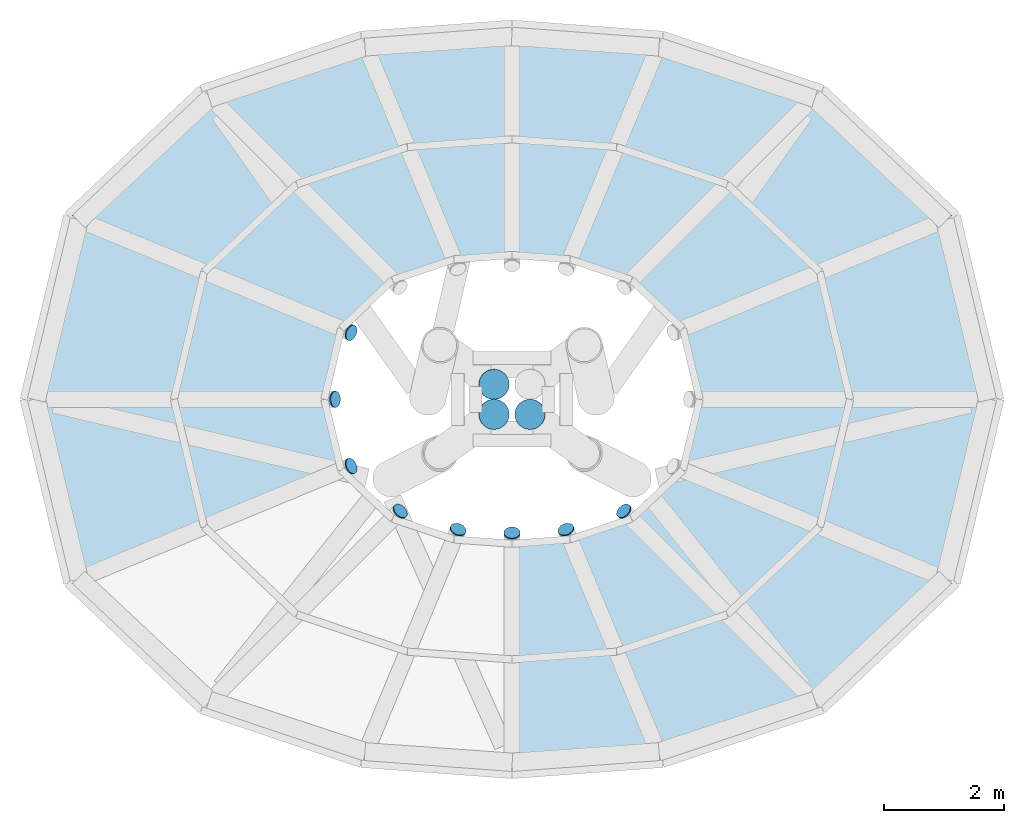
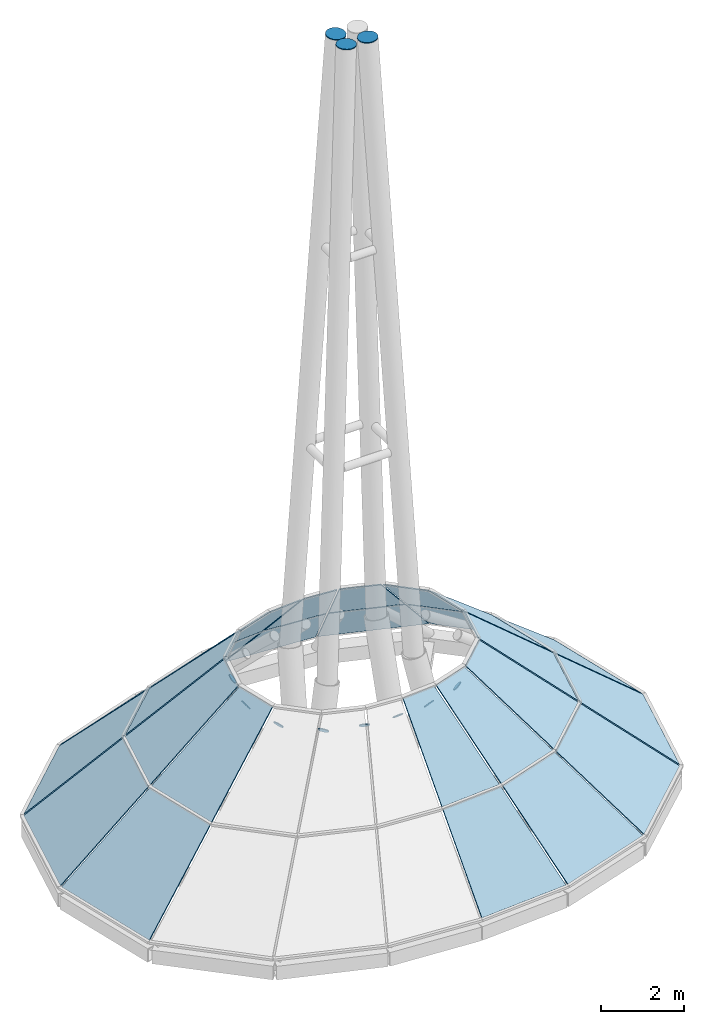
# One storey, part 3 of 4: 26 plates, 11 discrete accessories, 13 elements without a shape of their own.
"""IFC4 building model written with IfcOpenShell, lengths in metres."""

from ifc_helpers import new_model, si_unit, direction, frame, origin, place, context, subcontext, project, spatial, polyline, outline, extrude, material, layer, layer_set, type_object, element, aggregate, save


model = new_model("IFC4")

# Units and contexts
model_context = context("Model", 3, precision=1e-05, world=origin(), true_north=direction((0.0, 1.0)))
body_context = subcontext(model_context, "Body", "Model", "MODEL_VIEW")
ifc_project = project(units=[si_unit("LENGTHUNIT", "METRE"), si_unit("AREAUNIT", "SQUARE_METRE"), si_unit("VOLUMEUNIT", "CUBIC_METRE"), si_unit("PLANEANGLEUNIT", "RADIAN"), si_unit("MASSUNIT", "GRAM", prefix="KILO")], contexts=[model_context])

# Site, building, storey
site_placement = place(None, origin())
site = spatial("IfcSite", under=ifc_project, at=site_placement, CompositionType="ELEMENT")
building_placement = place(site_placement, origin())
building = spatial("IfcBuilding", under=site, at=building_placement, Name="Rubra Terraces Tower", CompositionType="ELEMENT")
storey_placement = place(building_placement, frame((0.0, 0.0, 333.0)))
storey = spatial("IfcBuildingStorey", under=building, at=storey_placement, Name="L82", CompositionType="ELEMENT", Elevation=333.0)

# Curtain wall, plates
ifc_material_1 = material(Name="Aluminium and glass", Category="aluminium")
curtain_wall_type = type_object("IfcCurtainWallType", Name="Curtain wall Crown glazing", PredefinedType="NOTDEFINED", material=ifc_material_1)
curtain_wall_1_placement = place(storey_placement, origin())
curtain_wall_1 = element("IfcCurtainWall", 1, at=curtain_wall_1_placement, inside=storey, type_object=curtain_wall_type, Name="Crown glazing L82 facet 1", PredefinedType="NOTDEFINED")
ifc_material_2 = material(Name="Clear glass, laminated", Category="glass")
ifc_layer_1 = layer(ifc_material_2, 0.028076171875)
ifc_layer_set_1 = layer_set([ifc_layer_1], Name="Clear glass, laminated")
plate_type = type_object("IfcPlateType", Name="Crown glazing glass panel 28", PredefinedType="CURTAIN_PANEL", material=ifc_layer_set_1)
plate_1_placement = place(storey_placement, frame((8.091064453125, 0.029296875, 0.019287109375), z_axis=(0.635802230736, 0.150930643757, 0.756951427878), x_axis=(-0.23096905846, 0.972961095847, 1.318517e-06)))
plate_1 = element("IfcPlate", 2, at=plate_1_placement, type_object=plate_type, Name="Crown glazing L82 facet 1 panel 1.1", PredefinedType="CURTAIN_PANEL", context=body_context, shape_type="SweptSolid", body=[
    extrude(outline(polyline([(0.0, 0.0), (3.079106072860375, -1.1102230246251565e-16), (2.6947250697554037, 3.154722138677654), (0.5668806343391409, 3.154732644804066), (0.0, 0.0)])), origin(), (0.0, 0.0, -1.0), 0.028076171875),
])
plate_2_placement = place(storey_placement, frame((5.5908203125, 0.029296875, 2.119384765625), z_axis=(0.635722394674, 0.150913907434, 0.757021815705), x_axis=(-0.23097253698, 0.972960270082, 1.55633e-06)))
plate_2 = element("IfcPlate", 3, at=plate_2_placement, type_object=plate_type, Name="Crown glazing L82 facet 1 panel 1.2", PredefinedType="CURTAIN_PANEL", context=body_context, shape_type="SweptSolid", body=[
    extrude(outline(polyline([(0.0, 0.0), (2.1097829918613193, 5.551115123125783e-17), (1.7254674058572375, 3.1547435231363528), (0.5669460514871185, 3.1547513080194607), (0.0, 0.0)])), origin(), (0.0, 0.0, -1.0), 0.028076171875),
])
aggregate(curtain_wall_1, [plate_1, plate_2])

curtain_wall_2_placement = place(storey_placement, origin())
curtain_wall_2 = element("IfcCurtainWall", 4, at=curtain_wall_2_placement, inside=storey, type_object=curtain_wall_type, Name="Crown glazing L82 facet 2", PredefinedType="NOTDEFINED")
plate_3_placement = place(storey_placement, frame((7.35107421875, 3.074951171875, 0.01953125), z_axis=(0.468845230284, 0.49582250127, 0.730988506937), x_axis=(-0.726598322171, 0.687062499498, 1.519384e-06)))
plate_3 = element("IfcPlate", 5, at=plate_3_placement, type_object=plate_type, Name="Crown glazing L82 facet 2 panel 1.1", PredefinedType="CURTAIN_PANEL", context=body_context, shape_type="SweptSolid", body=[
    extrude(outline(polyline([(0.0, 0.0), (2.994808005682726, 0.0), (3.0565569032122206, 3.0203127197491426), (0.9874266779915362, 3.020323994926186), (0.0, 0.0)])), origin(), (0.0, 0.0, -1.0), 0.028076171875),
])
plate_4_placement = place(storey_placement, frame((5.074462890625, 2.131591796875, 2.119384765625), z_axis=(0.468857779524, 0.495808450367, 0.730989988388), x_axis=(-0.726581350948, 0.687080446845, 4.141263e-06)))
plate_4 = element("IfcPlate", 6, at=plate_4_placement, type_object=plate_type, Name="Crown glazing L82 facet 2 panel 1.2", PredefinedType="CURTAIN_PANEL", context=body_context, shape_type="SweptSolid", body=[
    extrude(outline(polyline([(0.0, 0.0), (2.051686579339472, 0.0), (2.1133863459619215, 3.020313723792108), (0.9877226786566521, 3.020333006426366), (0.0, 0.0)])), origin(), (0.0, 0.0, -1.0), 0.028076171875),
])
aggregate(curtain_wall_2, [plate_3, plate_4])

curtain_wall_3_placement = place(storey_placement, origin())
curtain_wall_3 = element("IfcCurtainWall", 7, at=curtain_wall_3_placement, inside=storey, type_object=curtain_wall_type, Name="Crown glazing L82 facet 3", PredefinedType="NOTDEFINED")
plate_5_placement = place(storey_placement, frame((5.1240234375, 5.162109375, 0.0205078125), z_axis=(0.229825427444, 0.683913531602, 0.692417904298), x_axis=(-0.94790670017, 0.318548093215, -9.08248e-06)))
plate_5 = element("IfcPlate", 8, at=plate_5_placement, type_object=plate_type, Name="Crown glazing L82 facet 3 panel 1.1", PredefinedType="CURTAIN_PANEL", context=body_context, shape_type="SweptSolid", body=[
    extrude(outline(polyline([(0.0, 0.0), (2.7344982988995974, 1.1102230246251565e-16), (2.8706192845311267, 2.8539398550559563), (0.9819712537630314, 2.8538816570960575), (0.0, 0.0)])), origin(), (0.0, 0.0, -1.0), 0.028076171875),
])
plate_6_placement = place(storey_placement, frame((3.53271484375, 3.57080078125, 2.12060546875), z_axis=(0.229766540036, 0.683889773002, 0.692460912588), x_axis=(-0.947927587208, 0.318485932659, -1.0441416e-05)))
plate_6 = element("IfcPlate", 9, at=plate_6_placement, type_object=plate_type, Name="Crown glazing L82 facet 3 panel 1.2", PredefinedType="CURTAIN_PANEL", context=body_context, shape_type="SweptSolid", body=[
    extrude(outline(polyline([(0.0, 0.0), (1.8718946170357489, -1.1102230246251565e-16), (2.0081423943091075, 2.853757665104137), (0.9823294651719532, 2.853715727416075), (0.0, 0.0)])), origin(), (0.0, 0.0, -1.0), 0.028076171875),
])
aggregate(curtain_wall_3, [plate_5, plate_6])

curtain_wall_4_placement = place(storey_placement, origin())
curtain_wall_4 = element("IfcCurtainWall", 10, at=curtain_wall_4_placement, inside=storey, type_object=curtain_wall_type, Name="Crown glazing L82 facet 4", PredefinedType="NOTDEFINED")
plate_7_placement = place(storey_placement, frame((2.47314453125, 6.0439453125, 0.021484375), z_axis=(0.054596357365, 0.736354220187, 0.674389872533), x_axis=(-0.997262719506, 0.073939625914, 1.714499e-06)))
plate_7 = element("IfcPlate", 11, at=plate_7_placement, type_object=plate_type, Name="Crown glazing L82 facet 4 panel 1.1", PredefinedType="CURTAIN_PANEL", context=body_context, shape_type="SweptSolid", body=[
    extrude(outline(polyline([(0.0, 0.0), (2.4500655515736125, 1.3877787807814457e-17), (2.3107824195184254, 2.7856841852839205), (0.6203634335179905, 2.785693799437508), (0.0, 0.0)])), origin(), (0.0, 0.0, -1.0), 0.028076171875),
])
plate_8_placement = place(storey_placement, frame((1.69970703125, 4.177978515625, 2.12158203125), z_axis=(0.05451544493, 0.736341437518, 0.674410374815), x_axis=(-0.997272551755, 0.073806887651, 2.9191609e-05)))
plate_8 = element("IfcPlate", 12, at=plate_8_placement, type_object=plate_type, Name="Crown glazing L82 facet 4 panel 1.2", PredefinedType="CURTAIN_PANEL", context=body_context, shape_type="SweptSolid", body=[
    extrude(outline(polyline([(0.0, 0.0), (1.6744849949103613, 1.3877787807814457e-17), (1.5355084309924734, 2.785699495725112), (0.6208954521754578, 2.7858018580833255), (0.0, 0.0)])), origin(), (0.0, 0.0, -1.0), 0.028076171875),
])
aggregate(curtain_wall_4, [plate_7, plate_8])

curtain_wall_5_placement = place(storey_placement, origin())
curtain_wall_5 = element("IfcCurtainWall", 13, at=curtain_wall_5_placement, inside=storey, type_object=curtain_wall_type, Name="Crown glazing L82 facet 5", PredefinedType="NOTDEFINED")
plate_9_placement = place(storey_placement, frame((-0.02978515625, 6.224609375, 0.022216796875), z_axis=(-0.054505291641, 0.736300317506, 0.674456088729), x_axis=(-0.997270548938, -0.073833949505, 1.1028663e-05)))
plate_9 = element("IfcPlate", 14, at=plate_9_placement, type_object=plate_type, Name="Crown glazing L82 facet 5 panel 1.1", PredefinedType="CURTAIN_PANEL", context=body_context, shape_type="SweptSolid", body=[
    extrude(outline(polyline([(0.0, 0.0), (2.449804038038226, -1.3877787807814457e-17), (1.8297006037685288, 2.784237062767878), (0.13905618014497917, 2.7842989111829706), (0.0, 0.0)])), origin(), (0.0, 0.0, -1.0), 0.028076171875),
])
plate_10_placement = place(storey_placement, frame((-0.02978515625, 4.301025390625, 2.1220703125), z_axis=(-0.05451676451, 0.736359261122, 0.674390807283), x_axis=(-0.99727219065, -0.073811768625, -2.3834493e-05)))
plate_10 = element("IfcPlate", 15, at=plate_10_placement, type_object=plate_type, Name="Crown glazing L82 facet 5 panel 1.2", PredefinedType="CURTAIN_PANEL", context=body_context, shape_type="SweptSolid", body=[
    extrude(outline(polyline([(0.0, 0.0), (1.6742415202102956, 0.0), (1.053781173276704, 2.7844042049070543), (0.13892471908501863, 2.7843206296615337), (0.0, 0.0)])), origin(), (0.0, 0.0, -1.0), 0.028076171875),
])
aggregate(curtain_wall_5, [plate_9, plate_10])

curtain_wall_6_placement = place(storey_placement, origin())
curtain_wall_6 = element("IfcCurtainWall", 16, at=curtain_wall_6_placement, inside=storey, type_object=curtain_wall_type, Name="Crown glazing L82 facet 6", PredefinedType="NOTDEFINED")
plate_11_placement = place(storey_placement, frame((-2.531494140625, 6.0322265625, 0.021484375), z_axis=(-0.22988496212, 0.683902047567, 0.692409483994), x_axis=(-0.94788854351, -0.318602116671, -1.8315706e-05)))
plate_11 = element("IfcPlate", 17, at=plate_11_placement, type_object=plate_type, Name="Crown glazing L82 facet 6 panel 1.1", PredefinedType="CURTAIN_PANEL", context=body_context, shape_type="SweptSolid", body=[
    extrude(outline(polyline([(0.0, 0.0), (2.7342668774861036, -1.1102230246251565e-16), (1.7531958942562247, 2.8508708680823496), (-0.13607053307671022, 2.8507534977154245), (0.0, 0.0)])), origin(), (0.0, 0.0, -1.0), 0.028076171875),
])
plate_12_placement = place(storey_placement, frame((-1.7578125, 4.166015625, 2.12158203125), z_axis=(-0.229895542813, 0.683911885823, 0.692396253474), x_axis=(-0.947888409999, -0.318602513196, -2.7837982e-05)))
plate_12 = element("IfcPlate", 18, at=plate_12_placement, type_object=plate_type, Name="Crown glazing L82 facet 6 panel 1.2", PredefinedType="CURTAIN_PANEL", context=body_context, shape_type="SweptSolid", body=[
    extrude(outline(polyline([(0.0, 0.0), (1.871431768622223, -5.551115123125783e-17), (0.89057344338107, 2.8508105574173435), (-0.13585787535141272, 2.850698750473879), (0.0, 0.0)])), origin(), (0.0, 0.0, -1.0), 0.028076171875),
])
aggregate(curtain_wall_6, [plate_11, plate_12])

curtain_wall_7_placement = place(storey_placement, origin())
curtain_wall_7 = element("IfcCurtainWall", 19, at=curtain_wall_7_placement, inside=storey, type_object=curtain_wall_type, Name="Crown glazing L82 facet 7", PredefinedType="NOTDEFINED")
plate_13_placement = place(storey_placement, frame((-5.17431640625, 5.1318359375, 0.0205078125), z_axis=(-0.468841699923, 0.495818767773, 0.73099330362), x_axis=(-0.726599505651, -0.687061247909, -3.127347e-06)))
plate_13 = element("IfcPlate", 20, at=plate_13_placement, type_object=plate_type, Name="Crown glazing L82 facet 7 panel 1.1", PredefinedType="CURTAIN_PANEL", context=body_context, shape_type="SweptSolid", body=[
    extrude(outline(polyline([(0.0, 0.0), (2.9944628736544994, 0.0), (2.0077772660754936, 3.0174892644464277), (-0.06169809113278892, 3.017466056577817), (0.0, 0.0)])), origin(), (0.0, 0.0, -1.0), 0.028076171875),
])
plate_14_placement = place(storey_placement, frame((-3.5830078125, 3.54052734375, 2.12060546875), z_axis=(-0.468857874839, 0.495753110195, 0.731027459767), x_axis=(-0.726535189716, -0.687129258628, 6.459436e-06)))
plate_14 = element("IfcPlate", 21, at=plate_14_placement, type_object=plate_type, Name="Crown glazing L82 facet 7 panel 1.2", PredefinedType="CURTAIN_PANEL", context=body_context, shape_type="SweptSolid", body=[
    extrude(outline(polyline([(0.0, 0.0), (2.051164064474044, 2.220446049250313e-16), (1.0648820489779791, 3.0172740003710654), (-0.061471883096890896, 3.01730408028913), (0.0, 0.0)])), origin(), (0.0, 0.0, -1.0), 0.028076171875),
])
aggregate(curtain_wall_7, [plate_13, plate_14])

curtain_wall_8_placement = place(storey_placement, origin())
curtain_wall_8 = element("IfcCurtainWall", 22, at=curtain_wall_8_placement, inside=storey, type_object=curtain_wall_type, Name="Crown glazing L82 facet 8", PredefinedType="NOTDEFINED")
plate_15_placement = place(storey_placement, frame((-7.3798828125, 3.025146484375, 0.01953125), z_axis=(-0.635764672853, 0.150860452466, 0.756996964746), x_axis=(-0.230888141891, -0.972980300862, -8.290081e-06)))
plate_15 = element("IfcPlate", 23, at=plate_15_placement, type_object=plate_type, Name="Crown glazing L82 facet 8 panel 1.1", PredefinedType="CURTAIN_PANEL", context=body_context, shape_type="SweptSolid", body=[
    extrude(outline(polyline([(0.0, 0.0), (3.079049692642453, 0.0), (2.5124096567177587, 3.154266866153474), (0.38462159695360765, 3.1542008057150617), (0.0, 0.0)])), origin(), (0.0, 0.0, -1.0), 0.028076171875),
])
plate_16_placement = place(storey_placement, frame((-5.103271484375, 2.08203125, 2.119384765625), z_axis=(-0.635751721394, 0.150920869294, 0.756995799167), x_axis=(-0.230972536859, -0.972960270111, -1.556349e-06)))
plate_16 = element("IfcPlate", 24, at=plate_16_placement, type_object=plate_type, Name="Crown glazing L82 facet 8 panel 1.2", PredefinedType="CURTAIN_PANEL", context=body_context, shape_type="SweptSolid", body=[
    extrude(outline(polyline([(0.0, 0.0), (2.109782991861319, 0.0), (1.5429497205714355, 3.1542321469580195), (0.38442836620131543, 3.154224362342455), (0.0, 0.0)])), origin(), (0.0, 0.0, -1.0), 0.028076171875),
])
aggregate(curtain_wall_8, [plate_15, plate_16])

curtain_wall_9_placement = place(storey_placement, origin())
curtain_wall_9 = element("IfcCurtainWall", 25, at=curtain_wall_9_placement, inside=storey, type_object=curtain_wall_type, Name="Crown glazing L82 facet 9", PredefinedType="NOTDEFINED")
plate_17_placement = place(storey_placement, frame((-8.091064453125, -0.029296875, 0.019287109375), z_axis=(-0.635802230736, -0.150930643757, 0.756951427878), x_axis=(0.23096905846, -0.972961095847, 1.318517e-06)))
plate_17 = element("IfcPlate", 26, at=plate_17_placement, type_object=plate_type, Name="Crown glazing L82 facet 9 panel 1.1", PredefinedType="CURTAIN_PANEL", context=body_context, shape_type="SweptSolid", body=[
    extrude(outline(polyline([(0.0, 0.0), (3.079106072860375, -1.1102230246251565e-16), (2.6947250697554037, 3.154722138677654), (0.5668806343391409, 3.154732644804066), (0.0, 0.0)])), origin(), (0.0, 0.0, -1.0), 0.028076171875),
])
plate_18_placement = place(storey_placement, frame((-5.5908203125, -0.029296875, 2.119384765625), z_axis=(-0.635722394674, -0.150913907434, 0.757021815705), x_axis=(0.23097253698, -0.972960270082, 1.55633e-06)))
plate_18 = element("IfcPlate", 27, at=plate_18_placement, type_object=plate_type, Name="Crown glazing L82 facet 9 panel 1.2", PredefinedType="CURTAIN_PANEL", context=body_context, shape_type="SweptSolid", body=[
    extrude(outline(polyline([(0.0, 0.0), (2.1097829918613193, 5.551115123125783e-17), (1.7254674058572375, 3.1547435231363528), (0.5669460514871185, 3.1547513080194607), (0.0, 0.0)])), origin(), (0.0, 0.0, -1.0), 0.028076171875),
])
aggregate(curtain_wall_9, [plate_17, plate_18])

curtain_wall_10_placement = place(storey_placement, origin())
curtain_wall_10 = element("IfcCurtainWall", 28, at=curtain_wall_10_placement, inside=storey, type_object=curtain_wall_type, Name="Crown glazing L82 facet 13", PredefinedType="NOTDEFINED")
plate_19_placement = place(storey_placement, frame((0.02978515625, -6.224609375, 0.022216796875), z_axis=(0.054505291641, -0.736300317506, 0.674456088729), x_axis=(0.997270548938, 0.073833949505, 1.1028663e-05)))
plate_19 = element("IfcPlate", 29, at=plate_19_placement, type_object=plate_type, Name="Crown glazing L82 facet 13 panel 1.1", PredefinedType="CURTAIN_PANEL", context=body_context, shape_type="SweptSolid", body=[
    extrude(outline(polyline([(0.0, 0.0), (2.449804038038226, -1.3877787807814457e-17), (1.8297006037685288, 2.784237062767878), (0.13905618014497917, 2.7842989111829706), (0.0, 0.0)])), origin(), (0.0, 0.0, -1.0), 0.028076171875),
])
plate_20_placement = place(storey_placement, frame((0.02978515625, -4.301025390625, 2.1220703125), z_axis=(0.05451676451, -0.736359261122, 0.674390807283), x_axis=(0.99727219065, 0.073811768625, -2.3834493e-05)))
plate_20 = element("IfcPlate", 30, at=plate_20_placement, type_object=plate_type, Name="Crown glazing L82 facet 13 panel 1.2", PredefinedType="CURTAIN_PANEL", context=body_context, shape_type="SweptSolid", body=[
    extrude(outline(polyline([(0.0, 0.0), (1.6742415202102956, 0.0), (1.053781173276704, 2.7844042049070543), (0.13892471908501863, 2.7843206296615337), (0.0, 0.0)])), origin(), (0.0, 0.0, -1.0), 0.028076171875),
])
aggregate(curtain_wall_10, [plate_19, plate_20])

curtain_wall_11_placement = place(storey_placement, origin())
curtain_wall_11 = element("IfcCurtainWall", 31, at=curtain_wall_11_placement, inside=storey, type_object=curtain_wall_type, Name="Crown glazing L82 facet 14", PredefinedType="NOTDEFINED")
plate_21_placement = place(storey_placement, frame((2.531494140625, -6.0322265625, 0.021484375), z_axis=(0.22988496212, -0.683902047567, 0.692409483994), x_axis=(0.94788854351, 0.318602116671, -1.8315706e-05)))
plate_21 = element("IfcPlate", 32, at=plate_21_placement, type_object=plate_type, Name="Crown glazing L82 facet 14 panel 1.1", PredefinedType="CURTAIN_PANEL", context=body_context, shape_type="SweptSolid", body=[
    extrude(outline(polyline([(0.0, 0.0), (2.7342668774861036, -1.1102230246251565e-16), (1.7531958942562247, 2.8508708680823496), (-0.13607053307671022, 2.8507534977154245), (0.0, 0.0)])), origin(), (0.0, 0.0, -1.0), 0.028076171875),
])
plate_22_placement = place(storey_placement, frame((1.7578125, -4.166015625, 2.12158203125), z_axis=(0.229895542813, -0.683911885823, 0.692396253474), x_axis=(0.947888409999, 0.318602513196, -2.7837982e-05)))
plate_22 = element("IfcPlate", 33, at=plate_22_placement, type_object=plate_type, Name="Crown glazing L82 facet 14 panel 1.2", PredefinedType="CURTAIN_PANEL", context=body_context, shape_type="SweptSolid", body=[
    extrude(outline(polyline([(0.0, 0.0), (1.871431768622223, -5.551115123125783e-17), (0.89057344338107, 2.8508105574173435), (-0.13585787535141272, 2.850698750473879), (0.0, 0.0)])), origin(), (0.0, 0.0, -1.0), 0.028076171875),
])
aggregate(curtain_wall_11, [plate_21, plate_22])

curtain_wall_12_placement = place(storey_placement, origin())
curtain_wall_12 = element("IfcCurtainWall", 34, at=curtain_wall_12_placement, inside=storey, type_object=curtain_wall_type, Name="Crown glazing L82 facet 15", PredefinedType="NOTDEFINED")
plate_23_placement = place(storey_placement, frame((5.17431640625, -5.1318359375, 0.0205078125), z_axis=(0.468841699923, -0.495818767773, 0.73099330362), x_axis=(0.726599505651, 0.687061247909, -3.127347e-06)))
plate_23 = element("IfcPlate", 35, at=plate_23_placement, type_object=plate_type, Name="Crown glazing L82 facet 15 panel 1.1", PredefinedType="CURTAIN_PANEL", context=body_context, shape_type="SweptSolid", body=[
    extrude(outline(polyline([(0.0, 0.0), (2.9944628736544994, 0.0), (2.0077772660754936, 3.0174892644464277), (-0.06169809113278892, 3.017466056577817), (0.0, 0.0)])), origin(), (0.0, 0.0, -1.0), 0.028076171875),
])
plate_24_placement = place(storey_placement, frame((3.5830078125, -3.54052734375, 2.12060546875), z_axis=(0.468857874839, -0.495753110195, 0.731027459767), x_axis=(0.726535189716, 0.687129258628, 6.459436e-06)))
plate_24 = element("IfcPlate", 36, at=plate_24_placement, type_object=plate_type, Name="Crown glazing L82 facet 15 panel 1.2", PredefinedType="CURTAIN_PANEL", context=body_context, shape_type="SweptSolid", body=[
    extrude(outline(polyline([(0.0, 0.0), (2.051164064474044, 2.220446049250313e-16), (1.0648820489779791, 3.0172740003710654), (-0.061471883096890896, 3.01730408028913), (0.0, 0.0)])), origin(), (0.0, 0.0, -1.0), 0.028076171875),
])
aggregate(curtain_wall_12, [plate_23, plate_24])

curtain_wall_13_placement = place(storey_placement, origin())
curtain_wall_13 = element("IfcCurtainWall", 37, at=curtain_wall_13_placement, inside=storey, type_object=curtain_wall_type, Name="Crown glazing L82 facet 16", PredefinedType="NOTDEFINED")
plate_25_placement = place(storey_placement, frame((7.3798828125, -3.025146484375, 0.01953125), z_axis=(0.635764672853, -0.150860452466, 0.756996964746), x_axis=(0.230888141891, 0.972980300862, -8.290081e-06)))
plate_25 = element("IfcPlate", 38, at=plate_25_placement, type_object=plate_type, Name="Crown glazing L82 facet 16 panel 1.1", PredefinedType="CURTAIN_PANEL", context=body_context, shape_type="SweptSolid", body=[
    extrude(outline(polyline([(0.0, 0.0), (3.079049692642453, 0.0), (2.5124096567177587, 3.154266866153474), (0.38462159695360765, 3.1542008057150617), (0.0, 0.0)])), origin(), (0.0, 0.0, -1.0), 0.028076171875),
])
plate_26_placement = place(storey_placement, frame((5.103271484375, -2.08203125, 2.119384765625), z_axis=(0.635751721394, -0.150920869294, 0.756995799167), x_axis=(0.230972536859, 0.972960270111, -1.556349e-06)))
plate_26 = element("IfcPlate", 39, at=plate_26_placement, type_object=plate_type, Name="Crown glazing L82 facet 16 panel 1.2", PredefinedType="CURTAIN_PANEL", context=body_context, shape_type="SweptSolid", body=[
    extrude(outline(polyline([(0.0, 0.0), (2.109782991861319, 0.0), (1.5429497205714355, 3.1542321469580195), (0.38442836620131543, 3.154224362342455), (0.0, 0.0)])), origin(), (0.0, 0.0, -1.0), 0.028076171875),
])
aggregate(curtain_wall_13, [plate_25, plate_26])

# Discrete accessories
ifc_material_3 = material(Name="Steel Q355B", Category="steel")
ifc_layer_2 = layer(ifc_material_3, 0.02490234375)
ifc_layer_set_2 = layer_set([ifc_layer_2], Name="Steel Q355B")
discrete_accessory_type_1 = type_object("IfcDiscreteAccessoryType", Name="Crown post end plate 25", PredefinedType="ANCHORPLATE", material=ifc_layer_set_2)
discrete_accessory_1_placement = place(storey_placement, frame((-2.720947265625, 0.9794921875, 3.565185546875), z_axis=(0.735286325195, -0.304063334117, 0.605722303392), x_axis=(0.623811787652, -0.045791906934, -0.780231987838)))
element("IfcDiscreteAccessory", 40, at=discrete_accessory_1_placement, inside=storey, type_object=discrete_accessory_type_1, Name="Crown post end plate L82", PredefinedType="ANCHORPLATE", context=body_context, shape_type="SweptSolid", body=[
    extrude(outline(polyline([(0.0, 0.0), (0.05320697268615376, 2.6020852139652106e-18), (0.10258498765773963, 0.020313471332131596), (0.14017132036525393, 0.058043493859856424), (0.16070082487719117, 0.10704819720857908), (0.1605798941319127, 0.16035154241544788), (0.14040658821973748, 0.2096705504567379), (0.10268802371161752, 0.24741133006376004), (0.05348256676374258, 0.2676018126031479), (0.0002644144128099851, 0.2678341247672194), (-0.0487708164339004, 0.24754725719239007), (-0.08669993326629019, 0.20979063090736302), (-0.10706596031372898, 0.16061830707400035), (-0.10710850703294895, 0.10748258235177151), (-0.08674471479561788, 0.05812548638835223), (-0.04921663661265378, 0.02042279470345936), (0.0, 0.0)])), origin(), (0.0, 0.0, -1.0), 0.02490234375),
])
discrete_accessory_2_placement = place(storey_placement, frame((-2.93359375, -0.136474609375, 3.56494140625), z_axis=(0.799883289372, 0.0, 0.600155582648), x_axis=(0.588940936665, 0.19241436328, -0.78493648528)))
element("IfcDiscreteAccessory", 41, at=discrete_accessory_2_placement, inside=storey, type_object=discrete_accessory_type_1, Name="Crown post end plate L82", PredefinedType="ANCHORPLATE", context=body_context, shape_type="SweptSolid", body=[
    extrude(outline(polyline([(0.0, 0.0), (0.05329075270274, 0.0), (0.1024814032843386, 0.02070710631546182), (0.13992514993123578, 0.058396110211722065), (0.16023202947095555, 0.10765533798460872), (0.16003094765676373, 0.160935732535755), (0.13959257198332709, 0.20997416621262535), (0.10186410515179581, 0.24772422776413558), (0.05251935013350522, 0.26784882653801123), (-0.0006276181608694184, 0.2678206335315893), (-0.04981826874246801, 0.2471135272161275), (-0.08759743468183222, 0.20949029177399978), (-0.10776052981318662, 0.16020287099469124), (-0.10770323240736016, 0.10695066944996684), (-0.08692943744145648, 0.057846467318963944), (-0.04920097060992522, 0.020096405767453734), (0.0, 0.0)])), origin(), (0.0, 0.0, -1.0), 0.02490234375),
])
discrete_accessory_3_placement = place(storey_placement, frame((-2.61669921875, -1.231689453125, 3.565185546875), z_axis=(0.735286325195, 0.304063334117, 0.605722303392), x_axis=(0.476526922555, 0.403586788188, -0.781050444261)))
element("IfcDiscreteAccessory", 42, at=discrete_accessory_3_placement, inside=storey, type_object=discrete_accessory_type_1, Name="Crown post end plate L82", PredefinedType="ANCHORPLATE", context=body_context, shape_type="SweptSolid", body=[
    extrude(outline(polyline([(0.0, 0.0), (0.053186770710605284, -2.6020852139652106e-18), (0.10240885580321256, 0.020597157401815253), (0.13979430484832558, 0.05856628993468055), (0.16014091921901044, 0.10783368806101168), (0.1597510658243404, 0.16096343039176864), (0.13930114378020164, 0.21013748548926114), (0.10133063016134329, 0.2476750077252264), (0.05210648346365216, 0.26787315923246324), (-0.0011788191776630139, 0.267662480839858), (-0.050210218126651746, 0.24702824885759458), (-0.08778635331538331, 0.20909619090517742), (-0.1079180961746565, 0.15992180751882573), (-0.10774311429139813, 0.10669905044808933), (-0.08698616652293907, 0.057370257117522895), (-0.04932267862840103, 0.019987473114631598), (0.0, 0.0)])), origin(), (0.0, 0.0, -1.0), 0.02490234375),
])
discrete_accessory_4_placement = place(storey_placement, frame((-1.757080078125, -1.9501953125, 3.56591796875), z_axis=(0.543458204493, 0.543458204493, 0.639770552572), x_axis=(0.30329604686, 0.58353450146, -0.753325290671)))
element("IfcDiscreteAccessory", 43, at=discrete_accessory_4_placement, inside=storey, type_object=discrete_accessory_type_1, Name="Crown post end plate L82", PredefinedType="ANCHORPLATE", context=body_context, shape_type="SweptSolid", body=[
    extrude(outline(polyline([(0.0, 0.0), (0.05314252159381477, -8.673617379884035e-19), (0.10246037176403393, 0.01997096628239374), (0.14029867567844584, 0.05776181817207906), (0.16062880174391608, 0.10684180177475185), (0.16096078829788252, 0.15996475915858477), (0.1407742229788834, 0.20948635354213943), (0.10308736335602926, 0.24704684410645425), (0.05411831484097487, 0.2676904845043908), (0.0007178290534269015, 0.2679187625531404), (-0.04848452140095458, 0.2475721938349463), (-0.0862544077239114, 0.2101197622796534), (-0.10691091557456994, 0.16092963639133775), (-0.10698493793480315, 0.10757840095875529), (-0.08672995502434896, 0.058395226909593013), (-0.04929543030024268, 0.02053349811229374), (0.0, 0.0)])), origin(), (0.0, 0.0, -1.0), 0.02490234375),
])
discrete_accessory_5_placement = place(storey_placement, frame((-0.76708984375, -2.21044921875, 3.56689453125), z_axis=(0.280513704041, 0.676975400619, 0.680453061424), x_axis=(0.072773455827, 0.691875491176, -0.718339981371)))
element("IfcDiscreteAccessory", 44, at=discrete_accessory_5_placement, inside=storey, type_object=discrete_accessory_type_1, Name="Crown post end plate L82", PredefinedType="ANCHORPLATE", context=body_context, shape_type="SweptSolid", body=[
    extrude(outline(polyline([(0.0, 0.0), (0.05314907508661605, 1.734723475976807e-18), (0.1023456135343343, 0.020291508149597855), (0.14003043154462907, 0.057809505167278896), (0.16057415839446865, 0.10685503772547093), (0.16071452956741367, 0.1601574724329093), (0.14055695412829233, 0.2094354856961237), (0.1029207894801384, 0.24712290369782297), (0.05394231698104686, 0.2676047541397061), (0.0006000989654273738, 0.2678737731851449), (-0.04859643948229089, 0.24758226503554703), (-0.08645017240742364, 0.21000298307408102), (-0.10682498434242521, 0.16101873545967393), (-0.10713427043020823, 0.10765501580845062), (-0.08680778007624891, 0.058438287489021155), (-0.049153848471106, 0.0205172055974867), (0.0, 0.0)])), origin(), (0.0, 0.0, -1.0), 0.02490234375),
])
discrete_accessory_6_placement = place(storey_placement, frame((0.136474609375, -2.215576171875, 3.5673828125), z_axis=(0.0, 0.716370410371, 0.697720169656), x_axis=(-0.192965319644, 0.684606922035, -0.702906642248)))
element("IfcDiscreteAccessory", 45, at=discrete_accessory_6_placement, inside=storey, type_object=discrete_accessory_type_1, Name="Crown post end plate L82", PredefinedType="ANCHORPLATE", context=body_context, shape_type="SweptSolid", body=[
    extrude(outline(polyline([(0.0, 0.0), (0.05313859645317805, -2.6020852139652106e-18), (0.10242197330552856, 0.020663532848233197), (0.13991869747106161, 0.05832524880900922), (0.1601628345150623, 0.10759084460301795), (0.16008206583225856, 0.16085356599438896), (0.1396394055610089, 0.20990972578386405), (0.10185103310149027, 0.24769691581701558), (0.05266973324256583, 0.2678192958253611), (-0.0008076116393922854, 0.2678859145853172), (-0.04992384812991775, 0.24718951166980874), (-0.08741610459032084, 0.20952691708362717), (-0.10766470933945152, 0.16026219991502397), (-0.10757947295151778, 0.10699859989824742), (-0.08714128038539809, 0.057943318734177865), (-0.04952004828770451, 0.0201889987683016), (0.0, 0.0)])), origin(), (0.0, 0.0, -1.0), 0.02490234375),
])
discrete_accessory_7_placement = place(storey_placement, frame((1.019287109375, -2.10595703125, 3.56689453125), z_axis=(-0.280513704041, 0.676975400619, 0.680453061424), x_axis=(-0.436388635314, 0.541464630532, -0.718596557778)))
element("IfcDiscreteAccessory", 46, at=discrete_accessory_7_placement, inside=storey, type_object=discrete_accessory_type_1, Name="Crown post end plate L82", PredefinedType="ANCHORPLATE", context=body_context, shape_type="SweptSolid", body=[
    extrude(outline(polyline([(0.0, 0.0), (0.053088576604274594, 1.734723475976807e-18), (0.10235096187666196, 0.020249438568331505), (0.13995965812983846, 0.057935462567815885), (0.1603945124737179, 0.10716539226257937), (0.16036329864297852, 0.1603397093949532), (0.14007066908567012, 0.20949207245450116), (0.10251148408218286, 0.2471928989719243), (0.05347719687787357, 0.26769809004462736), (0.00021318166086009907, 0.2677331330431868), (-0.04915574380569577, 0.24727497536887771), (-0.08689663357218584, 0.20971065990577129), (-0.1071992944027517, 0.16035902167462984), (-0.10730027408532591, 0.10730641307863395), (-0.08687545101470392, 0.058032341482708055), (-0.04931626601121669, 0.020331514965284896), (0.0, 0.0)])), origin(), (0.0, 0.0, -1.0), 0.02490234375),
])
discrete_accessory_8_placement = place(storey_placement, frame((1.9501953125, -1.757080078125, 3.56591796875), z_axis=(-0.543458204493, 0.543458204493, 0.639770552572), x_axis=(-0.58353450146, 0.30329604686, -0.753325290671)))
element("IfcDiscreteAccessory", 47, at=discrete_accessory_8_placement, inside=storey, type_object=discrete_accessory_type_1, Name="Crown post end plate L82", PredefinedType="ANCHORPLATE", context=body_context, shape_type="SweptSolid", body=[
    extrude(outline(polyline([(0.0, 0.0), (0.05314252159381477, -8.673617379884035e-19), (0.10246037176403393, 0.01997096628239374), (0.14029867567844584, 0.05776181817207906), (0.16062880174391608, 0.10684180177475185), (0.16096078829788252, 0.15996475915858477), (0.1407742229788834, 0.20948635354213943), (0.10308736335602926, 0.24704684410645425), (0.05411831484097487, 0.2676904845043908), (0.0007178290534269015, 0.2679187625531404), (-0.04848452140095458, 0.2475721938349463), (-0.0862544077239114, 0.2101197622796534), (-0.10691091557456994, 0.16092963639133775), (-0.10698493793480315, 0.10757840095875529), (-0.08672995502434896, 0.058395226909593013), (-0.04929543030024268, 0.02053349811229374), (0.0, 0.0)])), origin(), (0.0, 0.0, -1.0), 0.02490234375),
])
ifc_layer_3 = layer(ifc_material_3, 0.02490234375)
ifc_layer_set_3 = layer_set([ifc_layer_3], Name="Steel Q355B")
discrete_accessory_type_2 = type_object("IfcDiscreteAccessoryType", Name="Spire leg end plate 25", PredefinedType="ANCHORPLATE", material=ifc_layer_set_3)
discrete_accessory_9_placement = place(storey_placement, frame((-0.299072265625, 0.5029296875, 22.23388671875), z_axis=(0.049384225957, -0.035599175193, 0.998145228387), x_axis=(-0.978502439321, -0.202076976896, 0.041205238166)))
element("IfcDiscreteAccessory", 48, at=discrete_accessory_9_placement, inside=storey, type_object=discrete_accessory_type_2, Name="Spire leg end plate", PredefinedType="ANCHORPLATE", context=body_context, shape_type="SweptSolid", body=[
    extrude(outline(polyline([(0.0, 0.0), (0.09905670643665776, 1.870248747537495e-18), (0.19050538351638638, 0.03724975103638936), (0.26083275487479973, 0.10653632191952023), (0.2989719414444363, 0.19767229791335672), (0.2997131669227219, 0.2965766526386603), (0.26249495344161283, 0.38908009187824105), (0.19312543347396724, 0.459780936971358), (0.1018828441300586, 0.49780615820803953), (0.002636580695738462, 0.49809398968443797), (-0.08981700037182665, 0.4608008350253646), (-0.16014437173023996, 0.3915142641422337), (-0.19848089909762612, 0.2994225045257748), (-0.1992221245759117, 0.20051814980047117), (-0.16184680978744914, 0.10901425716676677), (-0.091432146341571, 0.03831305271307996), (0.0, 0.0)])), origin(), (0.0, 0.0, -1.0), 0.02490234375),
])
discrete_accessory_10_placement = place(storey_placement, frame((-0.299072265625, 0.0048828125, 22.216064453125), z_axis=(0.049384225957, 0.035599175193, 0.998145228387), x_axis=(-0.980233225006, -0.189967603551, 0.055273268363)))
element("IfcDiscreteAccessory", 49, at=discrete_accessory_10_placement, inside=storey, type_object=discrete_accessory_type_2, Name="Spire leg end plate", PredefinedType="ANCHORPLATE", context=body_context, shape_type="SweptSolid", body=[
    extrude(outline(polyline([(0.0, 0.0), (0.0988490139570432, -3.7947076036992655e-19), (0.19007774289102095, 0.0385753653840546), (0.26001622415917064, 0.10964357574410852), (0.297378545642513, 0.20122238187420466), (0.29723233792916315, 0.30001682653506223), (0.2589697986632293, 0.39102532150036845), (0.1888873184508329, 0.4605871677897283), (0.09745301854888545, 0.49869228413279876), (-0.0016816889698171153, 0.49849952002048814), (-0.09387527590426467, 0.46032586853731505), (-0.16357426413343623, 0.3902407234458836), (-0.20093658561677852, 0.2986619173157875), (-0.20097589314127134, 0.19890932349104268), (-0.16271335387533747, 0.10790082852573646), (-0.09171999346360682, 0.037912352230759803), (0.0, 0.0)])), origin(), (0.0, 0.0, -1.0), 0.02490234375),
])
discrete_accessory_11_placement = place(storey_placement, frame((0.299072265625, 0.0048828125, 22.216064453125), z_axis=(-0.049384225957, 0.035599175193, 0.998145228387), x_axis=(-0.979079039099, -0.199237673229, -0.041335030703)))
element("IfcDiscreteAccessory", 50, at=discrete_accessory_11_placement, inside=storey, type_object=discrete_accessory_type_2, Name="Spire leg end plate", PredefinedType="ANCHORPLATE", context=body_context, shape_type="SweptSolid", body=[
    extrude(outline(polyline([(0.0, 0.0), (0.09924668081418783, 1.0842021724855044e-18), (0.19159171687107718, 0.037561128208484486), (0.26171785017238886, 0.10705136849540504), (0.2997871352722083, 0.19925392297105218), (0.3002415189580845, 0.2981600114302788), (0.2626009852162716, 0.3895551247694975), (0.1919815729341459, 0.46005181794247874), (0.10043869703970273, 0.49809954147222857), (0.0013824071839793118, 0.4978122609523468), (-0.08995785498872423, 0.46029745056861626), (-0.16008398829003592, 0.3908072102816957), (-0.19795870534959276, 0.29956100772947325), (-0.19841308903546903, 0.20065491927024662), (-0.16092675709299736, 0.10825980790944446), (-0.09135248493597874, 0.03776044300986816), (0.0, 0.0)])), origin(), (0.0, 0.0, -1.0), 0.02490234375),
])

save(model, "model.ifc")
